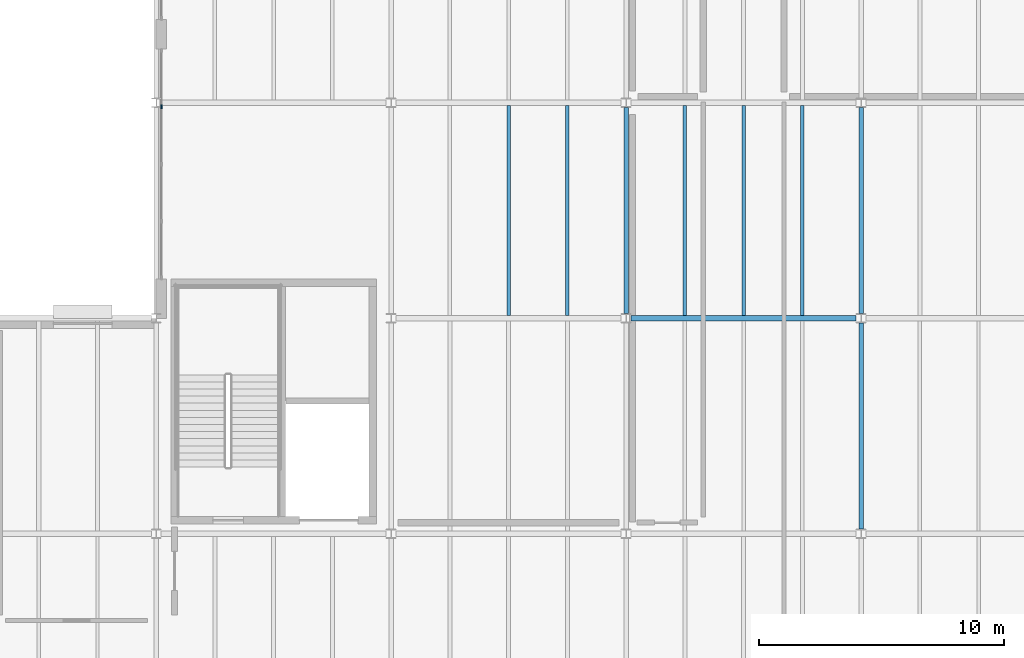
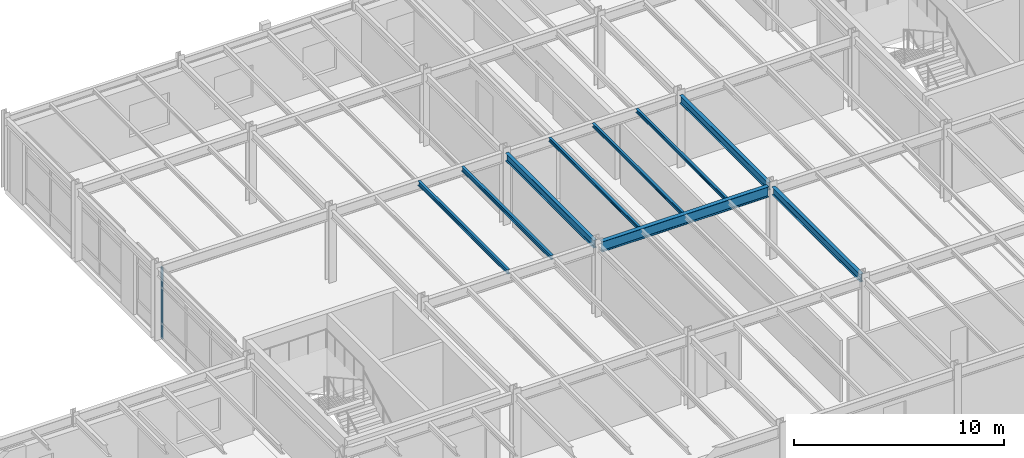
# One storey, part 38 of 88: 9 beams, 1 member, 1 element without a shape of its own.
"""IFC4 building model written with IfcOpenShell, lengths in metres."""

from ifc_helpers import new_model, si_unit, direction, frame, origin, origin_2d, place, context, subcontext, project, spatial, rectangle, i_section, extrude, material, material_profile, profile_set, type_object, element, aggregate, save


model = new_model("IFC4")

# Units and contexts
model_context = context("Model", 3, precision=1e-05, world=origin(), true_north=direction((0.0, 1.0)))
body_context = subcontext(model_context, "Body", "Model", "MODEL_VIEW")
ifc_project = project(units=[si_unit("LENGTHUNIT", "METRE"), si_unit("AREAUNIT", "SQUARE_METRE"), si_unit("VOLUMEUNIT", "CUBIC_METRE"), si_unit("PLANEANGLEUNIT", "RADIAN"), si_unit("MASSUNIT", "GRAM", prefix="KILO")], contexts=[model_context])

# Site, building, storey
site_placement = place(None, origin())
site = spatial("IfcSite", under=ifc_project, at=site_placement, CompositionType="ELEMENT")
building_placement = place(site_placement, origin())
building = spatial("IfcBuilding", under=site, at=building_placement, Name="Sarnbrook Museum", CompositionType="ELEMENT")
storey_placement = place(building_placement, frame((0.0, 0.0, 10.10009765625)))
storey = spatial("IfcBuildingStorey", under=building, at=storey_placement, Name="L02", CompositionType="ELEMENT", Elevation=10.10009765625)

# Beams
ifc_material_1 = material(Name="Structural Steel Grade 300PLUS (AS/NZS 3679.1, fy = 280 MPa for 17 < t <= 40 mm, 300 MPa for t <= 17 mm)", Category="steel")
ifc_material_profile_1 = material_profile(ifc_material_1, i_section(OverallWidth=0.18994140625, OverallDepth=0.45703125, WebThickness=0.009033203125, FlangeThickness=0.014404296875, FilletRadius=0.011474609375, at=origin_2d()), Name="460UB74.6")
ifc_profile_set_1 = profile_set([ifc_material_profile_1], Name="Structural Steel Grade 300PLUS (AS/NZS 3679.1, fy = 280 MPa for 17 < t <= 40 mm, 300 MPa for t <= 17 mm)")
beam_type_1 = type_object("IfcBeamType", Name="BM-UB460", PredefinedType="BEAM", material=ifc_profile_set_1)
for number, where, z_axis, x_axis, name in (
    (1, (61.60009765625, 92.19091796875, 3.9814453125), (0.0, 1.0, 0.0), (-1.0, 0.0, 0.0), "Girder 7:L-M L02"),
    (2, (71.199951171875, 83.39111328125, 3.9814453125), (0.0, 1.0, 0.0), (-1.0, 0.0, 0.0), "Girder 8:K-L L02"),
    (3, (71.199951171875, 92.19091796875, 3.9814453125), (0.0, 1.0, 0.0), (-1.0, 0.0, 0.0), "Girder 8:L-M L02"),
):
    element("IfcBeam", number, at=place(storey_placement, frame(where, z_axis=z_axis, x_axis=x_axis)), inside=storey, type_object=beam_type_1, Name=name, PredefinedType="BEAM", context=body_context, shape_type="SweptSolid", body=[
        extrude(i_section(OverallWidth=0.18994140625, OverallDepth=0.45703125, WebThickness=0.009033203125, FlangeThickness=0.014404296875, FilletRadius=0.011474609375, at=origin_2d()), origin(), (0.0, 0.0, 1.0), 8.41796875),
    ])
ifc_material_profile_2 = material_profile(ifc_material_1, i_section(OverallWidth=0.22802734375, OverallDepth=0.60693359375, WebThickness=0.01123046875, FlangeThickness=0.017333984375, FilletRadius=0.013916015625, at=origin_2d()), Name="610UB113")
ifc_profile_set_2 = profile_set([ifc_material_profile_2], Name="Structural Steel Grade 300PLUS (AS/NZS 3679.1, fy = 280 MPa for 17 < t <= 40 mm, 300 MPa for t <= 17 mm)")
beam_type_2 = type_object("IfcBeamType", Name="BM-UB610", PredefinedType="BEAM", material=ifc_profile_set_2)
beam_placement = place(storey_placement, frame((61.800048828125, 92.0, 3.906494140625), z_axis=(1.0, 0.0, 0.0), x_axis=(0.0, 1.0, 0.0)))
element("IfcBeam", 4, at=beam_placement, inside=storey, type_object=beam_type_2, Name="Girder L:7-8 L02", PredefinedType="BEAM", context=body_context, shape_type="SweptSolid", body=[
    extrude(i_section(OverallWidth=0.22802734375, OverallDepth=0.60693359375, WebThickness=0.01123046875, FlangeThickness=0.017333984375, FilletRadius=0.013916015625, at=origin_2d()), origin(), (0.0, 0.0, 1.0), 9.199951171875),
])

# Curtain wall, member
ifc_material_2 = material(Name="Thermally Broken Anodised Aluminium 6063-T6", Category="aluminium")
curtain_wall_type = type_object("IfcCurtainWallType", Name="CurtainWall_GalleryRibbon", PredefinedType="NOTDEFINED", material=ifc_material_2)
curtain_wall_placement = place(storey_placement, origin())
curtain_wall = element("IfcCurtainWall", 5, at=curtain_wall_placement, inside=storey, type_object=curtain_wall_type, Name="Gallery Ribbon Curtain Wall L02-6.2", PredefinedType="NOTDEFINED")
ifc_material_profile_3 = material_profile(ifc_material_2, rectangle(XDim=0.06005859375, YDim=0.159912109375, at=origin_2d()), Name="ALU MULLION 60x160")
ifc_profile_set_3 = profile_set([ifc_material_profile_3], Name="Thermally Broken Anodised Aluminium 6063-T6")
member_type = type_object("IfcMemberType", Name="CW_Mullion_150x65", PredefinedType="MULLION", material=ifc_profile_set_3)
member_placement = place(storey_placement, frame((42.610107421875, 100.639892578125, 0.0), z_axis=(0.0, 0.0, 1.0), x_axis=(1.0, 0.0, 0.0)))
member = element("IfcMember", 6, at=member_placement, type_object=member_type, Name="Gallery Ribbon Curtain Wall L02-6.2 Mullion 2", PredefinedType="MULLION", context=body_context, shape_type="SweptSolid", body=[
    extrude(rectangle(XDim=0.06005859375, YDim=0.159912109375, at=origin_2d()), origin(), (0.0, 0.0, 1.0), 4.159912109375),
])
aggregate(curtain_wall, [member])

# Beams
ifc_material_profile_4 = material_profile(ifc_material_1, i_section(OverallWidth=0.134033203125, OverallDepth=0.20703125, WebThickness=0.00634765625, FlangeThickness=0.009521484375, FilletRadius=0.0087890625, at=origin_2d()), Name="200UB29.8")
ifc_profile_set_4 = profile_set([ifc_material_profile_4], Name="Structural Steel Grade 300PLUS (AS/NZS 3679.1, fy = 280 MPa for 17 < t <= 40 mm, 300 MPa for t <= 17 mm)")
beam_type_3 = type_object("IfcBeamType", Name="JS-UB200", PredefinedType="JOIST", material=ifc_profile_set_4)
for number, where, z_axis, x_axis, name in (
    (7, (64.0, 92.114013671875, 4.1064453125), (0.0, 1.0, 0.0), (-1.0, 0.0, 0.0), "Composite Floor Joist 7L-1 L02"),
    (8, (66.39990234375, 92.114013671875, 4.1064453125), (0.0, 1.0, 0.0), (-1.0, 0.0, 0.0), "Composite Floor Joist 7L-2 L02"),
    (9, (68.800048828125, 92.114013671875, 4.1064453125), (0.0, 1.0, 0.0), (-1.0, 0.0, 0.0), "Composite Floor Joist 7L-3 L02"),
):
    element("IfcBeam", number, at=place(storey_placement, frame(where, z_axis=z_axis, x_axis=x_axis)), inside=storey, type_object=beam_type_3, Name=name, PredefinedType="JOIST", context=body_context, shape_type="SweptSolid", body=[
        extrude(i_section(OverallWidth=0.134033203125, OverallDepth=0.20703125, WebThickness=0.00634765625, FlangeThickness=0.009521484375, FilletRadius=0.0087890625, at=origin_2d()), origin(), (0.0, 0.0, 1.0), 8.572021484375),
    ])
ifc_material_profile_5 = material_profile(ifc_material_1, i_section(OverallWidth=0.14599609375, OverallDepth=0.256103515625, WebThickness=0.00634765625, FlangeThickness=0.010986328125, FilletRadius=0.0087890625, at=origin_2d()), Name="250UB37.3")
ifc_profile_set_5 = profile_set([ifc_material_profile_5], Name="Structural Steel Grade 300PLUS (AS/NZS 3679.1, fy = 280 MPa for 17 < t <= 40 mm, 300 MPa for t <= 17 mm)")
beam_type_4 = type_object("IfcBeamType", Name="JS-UB250", PredefinedType="JOIST", material=ifc_profile_set_5)
for number, where, z_axis, x_axis, name in (
    (10, (56.800048828125, 92.114013671875, 4.081787109375), (0.0, 1.0, 0.0), (-1.0, 0.0, 0.0), "Composite Floor Joist 6L-2 L02"),
    (11, (59.199951171875, 92.114013671875, 4.081787109375), (0.0, 1.0, 0.0), (-1.0, 0.0, 0.0), "Composite Floor Joist 6L-3 L02"),
):
    element("IfcBeam", number, at=place(storey_placement, frame(where, z_axis=z_axis, x_axis=x_axis)), inside=storey, type_object=beam_type_4, Name=name, PredefinedType="JOIST", context=body_context, shape_type="SweptSolid", body=[
        extrude(i_section(OverallWidth=0.14599609375, OverallDepth=0.256103515625, WebThickness=0.00634765625, FlangeThickness=0.010986328125, FilletRadius=0.0087890625, at=origin_2d()), origin(), (0.0, 0.0, 1.0), 8.572021484375),
    ])

save(model, "model.ifc")
